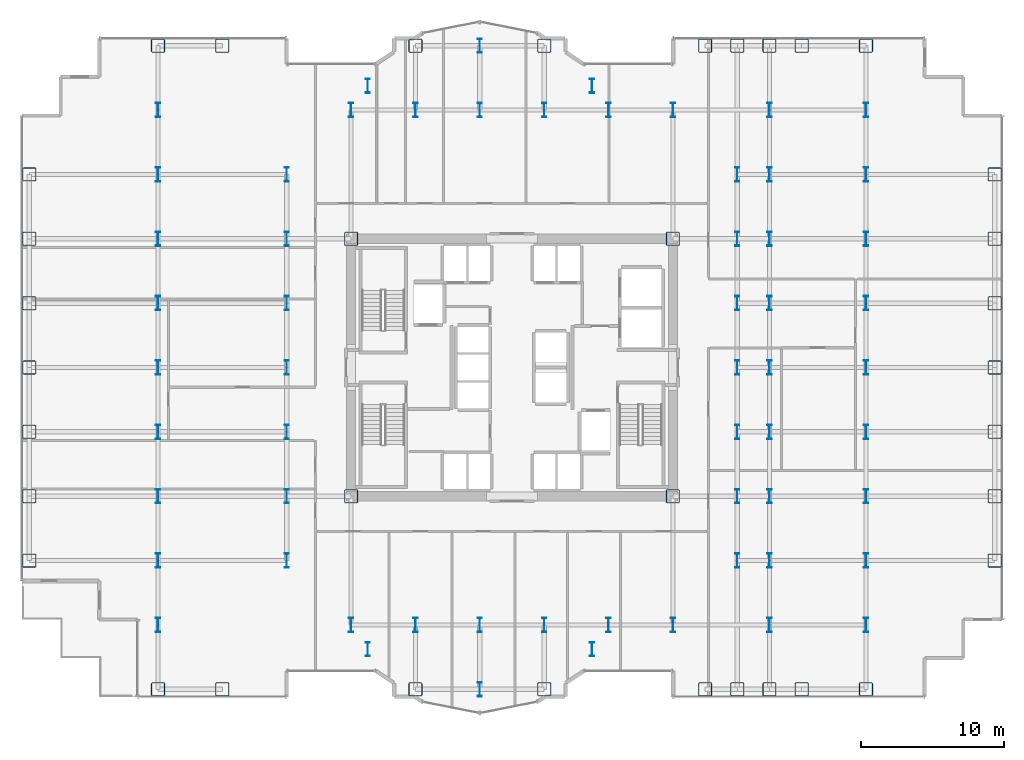
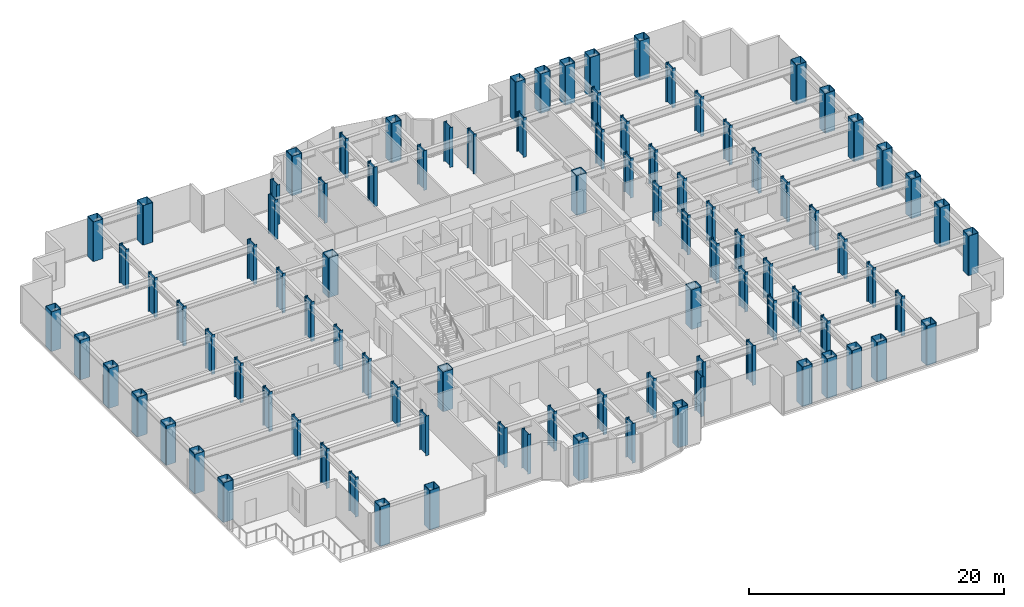
# One storey, part 1 of 27: 95 columns.
"""IFC4 building model written with IfcOpenShell, lengths in metres."""

from ifc_helpers import new_model, si_unit, direction, frame, origin, origin_2d, place, context, subcontext, project, spatial, hollow_rectangle, i_section, extrude, source, transform, mapped, material, material_profile, profile_set, type_object, element, save


model = new_model("IFC4")

# Units and contexts
model_context = context("Model", 3, precision=1e-05, world=origin(), true_north=direction((0.0, 1.0)))
body_context = subcontext(model_context, "Body", "Model", "MODEL_VIEW")
ifc_project = project(units=[si_unit("LENGTHUNIT", "METRE"), si_unit("AREAUNIT", "SQUARE_METRE"), si_unit("VOLUMEUNIT", "CUBIC_METRE"), si_unit("PLANEANGLEUNIT", "RADIAN"), si_unit("MASSUNIT", "GRAM", prefix="KILO")], contexts=[model_context])

# Site, building, storey
site_placement = place(None, origin())
site = spatial("IfcSite", under=ifc_project, at=site_placement, CompositionType="ELEMENT")
building_placement = place(site_placement, origin())
building = spatial("IfcBuilding", under=site, at=building_placement, Name="Nefas-Gora Pilgrimage Tower", CompositionType="ELEMENT")
storey_placement = place(building_placement, frame((0.0, 0.0, 48.199951171875)))
storey = spatial("IfcBuildingStorey", under=building, at=storey_placement, Name="L10", CompositionType="ELEMENT", Elevation=48.199951171875)

# Columns
ifc_material = material(Name="Steel S460", Category="steel")
ifc_material_profile_1 = material_profile(ifc_material, hollow_rectangle(XDim=0.949951171875, YDim=0.949951171875, WallThickness=0.044921875, InnerFilletRadius=0.044921875, OuterFilletRadius=0.090087890625, at=origin_2d()), Name="BOX 950x950x45")
ifc_profile_set_1 = profile_set([ifc_material_profile_1], Name="Steel S460")
column_type_1 = type_object("IfcColumnType", Name="COL-TUBE-950", PredefinedType="COLUMN", material=ifc_profile_set_1)
shared_shape_1 = source(origin(), body_context, "Body", "SweptSolid", [
    extrude(hollow_rectangle(XDim=0.949951171875, YDim=0.949951171875, WallThickness=0.044921875, InnerFilletRadius=0.044921875, OuterFilletRadius=0.090087890625, at=origin_2d()), origin(), (0.0, 0.0, 1.0), 3.800048828125),
])
for number, where, z_axis, x_axis, name in (
    (1, (-33.75, -13.5, 0.0), (0.0, 0.0, 1.0), (1.0, 0.0, 0.0), "L10 Tower Column C-Z1.1"),
    (2, (-33.75, -9.0, 0.0), (0.0, 0.0, 1.0), (1.0, 0.0, 0.0), "L10 Tower Column C-Z1.2"),
    (3, (-33.75, -4.5, 0.0), (0.0, 0.0, 1.0), (1.0, 0.0, 0.0), "L10 Tower Column C-Z1.3"),
    (4, (-33.75, 0.0, 0.0), (0.0, 0.0, 1.0), (1.0, 0.0, 0.0), "L10 Tower Column C-Z1.4"),
    (5, (-33.75, 4.5, 0.0), (0.0, 0.0, 1.0), (1.0, 0.0, 0.0), "L10 Tower Column C-Z1.5"),
    (6, (-33.75, 9.0, 0.0), (0.0, 0.0, 1.0), (1.0, 0.0, 0.0), "L10 Tower Column C-Z1.6"),
    (7, (-33.75, 13.5, 0.0), (0.0, 0.0, 1.0), (1.0, 0.0, 0.0), "L10 Tower Column C-Z1.7"),
    (8, (-24.75, -22.5, 0.0), (0.0, 0.0, 1.0), (1.0, 0.0, 0.0), "L10 Tower Column C-Z1.8"),
    (9, (-24.75, 22.5, 0.0), (0.0, 0.0, 1.0), (1.0, 0.0, 0.0), "L10 Tower Column C-Z1.18"),
    (10, (-20.25, -22.5, 0.0), (0.0, 0.0, 1.0), (1.0, 0.0, 0.0), "L10 Tower Column C-Z1.19"),
    (11, (-20.25, 22.5, 0.0), (0.0, 0.0, 1.0), (1.0, 0.0, 0.0), "L10 Tower Column C-Z1.20"),
    (12, (-6.75, -22.5, 0.0), (0.0, 0.0, 1.0), (1.0, 0.0, 0.0), "L10 Tower Column C-Z1.34"),
    (13, (-6.75, 22.5, 0.0), (0.0, 0.0, 1.0), (1.0, 0.0, 0.0), "L10 Tower Column C-Z1.37"),
    (14, (2.25, -22.5, 0.0), (0.0, 0.0, 1.0), (1.0, 0.0, 0.0), "L10 Tower Column C-Z1.42"),
    (15, (2.25, 22.5, 0.0), (0.0, 0.0, 1.0), (1.0, 0.0, 0.0), "L10 Tower Column C-Z1.45"),
    (16, (13.5, -22.5, 0.0), (0.0, 0.0, 1.0), (1.0, 0.0, 0.0), "L10 Tower Column C-Z1.54"),
    (17, (13.5, 22.5, 0.0), (0.0, 0.0, 1.0), (1.0, 0.0, 0.0), "L10 Tower Column C-Z1.55"),
    (18, (15.75, -22.5, 0.0), (0.0, 0.0, 1.0), (1.0, 0.0, 0.0), "L10 Tower Column C-Z1.56"),
    (19, (15.75, 22.5, 0.0), (0.0, 0.0, 1.0), (1.0, 0.0, 0.0), "L10 Tower Column C-Z1.64"),
    (20, (18.0, -22.5, 0.0), (0.0, 0.0, 1.0), (1.0, 0.0, 0.0), "L10 Tower Column C-Z1.65"),
    (21, (18.0, 22.5, 0.0), (0.0, 0.0, 1.0), (1.0, 0.0, 0.0), "L10 Tower Column C-Z1.75"),
    (22, (20.25, -22.5, 0.0), (0.0, 0.0, 1.0), (1.0, 0.0, 0.0), "L10 Tower Column C-Z1.76"),
    (23, (20.25, 22.5, 0.0), (0.0, 0.0, 1.0), (1.0, 0.0, 0.0), "L10 Tower Column C-Z1.77"),
    (24, (24.75, -22.5, 0.0), (0.0, 0.0, 1.0), (1.0, 0.0, 0.0), "L10 Tower Column C-Z1.78"),
    (25, (24.75, 22.5, 0.0), (0.0, 0.0, 1.0), (1.0, 0.0, 0.0), "L10 Tower Column C-Z1.88"),
    (26, (33.75, -13.5, 0.0), (0.0, 0.0, 1.0), (1.0, 0.0, 0.0), "L10 Tower Column C-Z1.89"),
    (27, (33.75, -9.0, 0.0), (0.0, 0.0, 1.0), (1.0, 0.0, 0.0), "L10 Tower Column C-Z1.90"),
    (28, (33.75, -4.5, 0.0), (0.0, 0.0, 1.0), (1.0, 0.0, 0.0), "L10 Tower Column C-Z1.91"),
    (29, (33.75, 0.0, 0.0), (0.0, 0.0, 1.0), (1.0, 0.0, 0.0), "L10 Tower Column C-Z1.92"),
    (30, (33.75, 4.5, 0.0), (0.0, 0.0, 1.0), (1.0, 0.0, 0.0), "L10 Tower Column C-Z1.93"),
    (31, (33.75, 9.0, 0.0), (0.0, 0.0, 1.0), (1.0, 0.0, 0.0), "L10 Tower Column C-Z1.94"),
    (32, (33.75, 13.5, 0.0), (0.0, 0.0, 1.0), (1.0, 0.0, 0.0), "L10 Tower Column C-Z1.95"),
):
    element("IfcColumn", number, at=place(storey_placement, frame(where, z_axis=z_axis, x_axis=x_axis)), inside=storey, type_object=column_type_1, Name=name, PredefinedType="COLUMN", context=body_context, shape_type="MappedRepresentation", body=[
        mapped(shared_shape_1, transform((0.0, 0.0, 0.0), x_axis=(1.0, 0.0, 0.0), y_axis=(0.0, 1.0, 0.0), z_axis=(0.0, 0.0, 1.0), scale=1.0)),
    ])
ifc_material_profile_2 = material_profile(ifc_material, i_section(OverallWidth=0.302001953125, OverallDepth=1.008056640625, WebThickness=0.02099609375, FlangeThickness=0.0400390625, FilletRadius=0.030029296875, at=origin_2d()), Name="HEM 1000")
ifc_profile_set_2 = profile_set([ifc_material_profile_2], Name="Steel S460")
column_type_2 = type_object("IfcColumnType", Name="COL-WEB-HEM1000", PredefinedType="COLUMN", material=ifc_profile_set_2)
shared_shape_2 = source(origin(), body_context, "Body", "SweptSolid", [
    extrude(i_section(OverallWidth=0.302001953125, OverallDepth=1.008056640625, WebThickness=0.02099609375, FlangeThickness=0.0400390625, FilletRadius=0.030029296875, at=origin_2d()), origin(), (0.0, 0.0, 1.0), 3.800048828125),
])
for number, where, z_axis, x_axis, name in (
    (33, (-24.75, -18.0, 0.0), (0.0, 0.0, 1.0), (1.0, 0.0, 0.0), "L10 Tower Column CW-01.9"),
    (34, (-24.75, -13.5, 0.0), (0.0, 0.0, 1.0), (1.0, 0.0, 0.0), "L10 Tower Column CW-01.10"),
    (35, (-24.75, -9.0, 0.0), (0.0, 0.0, 1.0), (1.0, 0.0, 0.0), "L10 Tower Column CW-01.11"),
    (36, (-24.75, -4.5, 0.0), (0.0, 0.0, 1.0), (1.0, 0.0, 0.0), "L10 Tower Column CW-01.12"),
    (37, (-24.75, 0.0, 0.0), (0.0, 0.0, 1.0), (1.0, 0.0, 0.0), "L10 Tower Column CW-01.13"),
    (38, (-24.75, 4.5, 0.0), (0.0, 0.0, 1.0), (1.0, 0.0, 0.0), "L10 Tower Column CW-01.14"),
    (39, (-24.75, 9.0, 0.0), (0.0, 0.0, 1.0), (1.0, 0.0, 0.0), "L10 Tower Column CW-01.15"),
    (40, (-24.75, 13.5, 0.0), (0.0, 0.0, 1.0), (1.0, 0.0, 0.0), "L10 Tower Column CW-01.16"),
    (41, (-24.75, 18.0, 0.0), (0.0, 0.0, 1.0), (1.0, 0.0, 0.0), "L10 Tower Column CW-01.17"),
    (42, (-15.75, -13.5, 0.0), (0.0, 0.0, 1.0), (1.0, 0.0, 0.0), "L10 Tower Column CW-01.21"),
    (43, (-15.75, -9.0, 0.0), (0.0, 0.0, 1.0), (1.0, 0.0, 0.0), "L10 Tower Column CW-01.22"),
    (44, (-15.75, -4.5, 0.0), (0.0, 0.0, 1.0), (1.0, 0.0, 0.0), "L10 Tower Column CW-01.23"),
    (45, (-15.75, 0.0, 0.0), (0.0, 0.0, 1.0), (1.0, 0.0, 0.0), "L10 Tower Column CW-01.24"),
    (46, (-15.75, 4.5, 0.0), (0.0, 0.0, 1.0), (1.0, 0.0, 0.0), "L10 Tower Column CW-01.25"),
    (47, (-15.75, 9.0, 0.0), (0.0, 0.0, 1.0), (1.0, 0.0, 0.0), "L10 Tower Column CW-01.26"),
    (48, (-15.75, 13.5, 0.0), (0.0, 0.0, 1.0), (1.0, 0.0, 0.0), "L10 Tower Column CW-01.27"),
    (49, (-11.25, -18.0, 0.0), (0.0, 0.0, 1.0), (1.0, 0.0, 0.0), "L10 Tower Column CW-01.28"),
    (50, (-11.25, 18.0, 0.0), (0.0, 0.0, 1.0), (1.0, 0.0, 0.0), "L10 Tower Column CW-01.31"),
    (51, (-10.091064453125, -19.696044921875, 0.0), (0.0, 0.0, 1.0), (1.0, 0.0, 0.0), "L10 Tower Column CW-01.32"),
    (52, (-10.091064453125, 19.696044921875, 0.0), (0.0, 0.0, 1.0), (1.0, 0.0, 0.0), "L10 Tower Column CW-01.33"),
    (53, (-6.75, -18.0, 0.0), (0.0, 0.0, 1.0), (1.0, 0.0, 0.0), "L10 Tower Column CW-01.35"),
    (54, (-6.75, 18.0, 0.0), (0.0, 0.0, 1.0), (1.0, 0.0, 0.0), "L10 Tower Column CW-01.36"),
    (55, (-2.25, -22.5, 0.0), (0.0, 0.0, 1.0), (1.0, 0.0, 0.0), "L10 Tower Column CW-01.38"),
    (56, (-2.25, -18.0, 0.0), (0.0, 0.0, 1.0), (1.0, 0.0, 0.0), "L10 Tower Column CW-01.39"),
    (57, (-2.25, 18.0, 0.0), (0.0, 0.0, 1.0), (1.0, 0.0, 0.0), "L10 Tower Column CW-01.40"),
    (58, (-2.25, 22.5, 0.0), (0.0, 0.0, 1.0), (1.0, 0.0, 0.0), "L10 Tower Column CW-01.41"),
    (59, (2.25, -18.0, 0.0), (0.0, 0.0, 1.0), (1.0, 0.0, 0.0), "L10 Tower Column CW-01.43"),
    (60, (2.25, 18.0, 0.0), (0.0, 0.0, 1.0), (1.0, 0.0, 0.0), "L10 Tower Column CW-01.44"),
    (61, (5.591064453125, -19.696044921875, 0.0), (0.0, 0.0, 1.0), (1.0, 0.0, 0.0), "L10 Tower Column CW-01.46"),
    (62, (5.591064453125, 19.696044921875, 0.0), (0.0, 0.0, 1.0), (1.0, 0.0, 0.0), "L10 Tower Column CW-01.47"),
    (63, (6.75, -18.0, 0.0), (0.0, 0.0, 1.0), (1.0, 0.0, 0.0), "L10 Tower Column CW-01.48"),
    (64, (6.75, 18.0, 0.0), (0.0, 0.0, 1.0), (1.0, 0.0, 0.0), "L10 Tower Column CW-01.49"),
    (65, (11.25, -18.0, 0.0), (0.0, 0.0, 1.0), (1.0, 0.0, 0.0), "L10 Tower Column CW-01.50"),
    (66, (11.25, 18.0, 0.0), (0.0, 0.0, 1.0), (1.0, 0.0, 0.0), "L10 Tower Column CW-01.53"),
    (67, (15.75, -13.5, 0.0), (0.0, 0.0, 1.0), (1.0, 0.0, 0.0), "L10 Tower Column CW-01.57"),
    (68, (15.75, -9.0, 0.0), (0.0, 0.0, 1.0), (1.0, 0.0, 0.0), "L10 Tower Column CW-01.58"),
    (69, (15.75, -4.5, 0.0), (0.0, 0.0, 1.0), (1.0, 0.0, 0.0), "L10 Tower Column CW-01.59"),
    (70, (15.75, 0.0, 0.0), (0.0, 0.0, 1.0), (1.0, 0.0, 0.0), "L10 Tower Column CW-01.60"),
    (71, (15.75, 4.5, 0.0), (0.0, 0.0, 1.0), (1.0, 0.0, 0.0), "L10 Tower Column CW-01.61"),
    (72, (15.75, 9.0, 0.0), (0.0, 0.0, 1.0), (1.0, 0.0, 0.0), "L10 Tower Column CW-01.62"),
    (73, (15.75, 13.5, 0.0), (0.0, 0.0, 1.0), (1.0, 0.0, 0.0), "L10 Tower Column CW-01.63"),
    (74, (18.0, -18.0, 0.0), (0.0, 0.0, 1.0), (1.0, 0.0, 0.0), "L10 Tower Column CW-01.66"),
    (75, (18.0, -13.5, 0.0), (0.0, 0.0, 1.0), (1.0, 0.0, 0.0), "L10 Tower Column CW-01.67"),
    (76, (18.0, -9.0, 0.0), (0.0, 0.0, 1.0), (1.0, 0.0, 0.0), "L10 Tower Column CW-01.68"),
    (77, (18.0, -4.5, 0.0), (0.0, 0.0, 1.0), (1.0, 0.0, 0.0), "L10 Tower Column CW-01.69"),
    (78, (18.0, 0.0, 0.0), (0.0, 0.0, 1.0), (1.0, 0.0, 0.0), "L10 Tower Column CW-01.70"),
    (79, (18.0, 4.5, 0.0), (0.0, 0.0, 1.0), (1.0, 0.0, 0.0), "L10 Tower Column CW-01.71"),
    (80, (18.0, 9.0, 0.0), (0.0, 0.0, 1.0), (1.0, 0.0, 0.0), "L10 Tower Column CW-01.72"),
    (81, (18.0, 13.5, 0.0), (0.0, 0.0, 1.0), (1.0, 0.0, 0.0), "L10 Tower Column CW-01.73"),
    (82, (18.0, 18.0, 0.0), (0.0, 0.0, 1.0), (1.0, 0.0, 0.0), "L10 Tower Column CW-01.74"),
    (83, (24.75, -18.0, 0.0), (0.0, 0.0, 1.0), (1.0, 0.0, 0.0), "L10 Tower Column CW-01.79"),
    (84, (24.75, -13.5, 0.0), (0.0, 0.0, 1.0), (1.0, 0.0, 0.0), "L10 Tower Column CW-01.80"),
    (85, (24.75, -9.0, 0.0), (0.0, 0.0, 1.0), (1.0, 0.0, 0.0), "L10 Tower Column CW-01.81"),
    (86, (24.75, -4.5, 0.0), (0.0, 0.0, 1.0), (1.0, 0.0, 0.0), "L10 Tower Column CW-01.82"),
    (87, (24.75, 0.0, 0.0), (0.0, 0.0, 1.0), (1.0, 0.0, 0.0), "L10 Tower Column CW-01.83"),
    (88, (24.75, 4.5, 0.0), (0.0, 0.0, 1.0), (1.0, 0.0, 0.0), "L10 Tower Column CW-01.84"),
    (89, (24.75, 9.0, 0.0), (0.0, 0.0, 1.0), (1.0, 0.0, 0.0), "L10 Tower Column CW-01.85"),
    (90, (24.75, 13.5, 0.0), (0.0, 0.0, 1.0), (1.0, 0.0, 0.0), "L10 Tower Column CW-01.86"),
    (91, (24.75, 18.0, 0.0), (0.0, 0.0, 1.0), (1.0, 0.0, 0.0), "L10 Tower Column CW-01.87"),
):
    element("IfcColumn", number, at=place(storey_placement, frame(where, z_axis=z_axis, x_axis=x_axis)), inside=storey, type_object=column_type_2, Name=name, PredefinedType="COLUMN", context=body_context, shape_type="MappedRepresentation", body=[
        mapped(shared_shape_2, transform((0.0, 0.0, 0.0), x_axis=(1.0, 0.0, 0.0), y_axis=(0.0, 1.0, 0.0), z_axis=(0.0, 0.0, 1.0), scale=1.0)),
    ])
ifc_material_profile_3 = material_profile(ifc_material, hollow_rectangle(XDim=0.949951171875, YDim=0.949951171875, WallThickness=0.044921875, InnerFilletRadius=0.044921875, OuterFilletRadius=0.090087890625, at=origin_2d()), Name="BOX 950x950x45")
ifc_profile_set_3 = profile_set([ifc_material_profile_3], Name="Steel S460")
column_type_3 = type_object("IfcColumnType", Name="COL-CORE-950", PredefinedType="COLUMN", material=ifc_profile_set_3)
shared_shape_3 = source(origin(), body_context, "Body", "SweptSolid", [
    extrude(hollow_rectangle(XDim=0.949951171875, YDim=0.949951171875, WallThickness=0.044921875, InnerFilletRadius=0.044921875, OuterFilletRadius=0.090087890625, at=origin_2d()), origin(), (0.0, 0.0, 1.0), 3.800048828125),
])
for number, where, z_axis, x_axis, name in (
    (92, (-11.25, -9.0, 0.0), (0.0, 0.0, 1.0), (1.0, 0.0, 0.0), "L10 Tower Column CC-Z1.29"),
    (93, (-11.25, 9.0, 0.0), (0.0, 0.0, 1.0), (1.0, 0.0, 0.0), "L10 Tower Column CC-Z1.30"),
    (94, (11.25, -9.0, 0.0), (0.0, 0.0, 1.0), (1.0, 0.0, 0.0), "L10 Tower Column CC-Z1.51"),
    (95, (11.25, 9.0, 0.0), (0.0, 0.0, 1.0), (1.0, 0.0, 0.0), "L10 Tower Column CC-Z1.52"),
):
    element("IfcColumn", number, at=place(storey_placement, frame(where, z_axis=z_axis, x_axis=x_axis)), inside=storey, type_object=column_type_3, Name=name, PredefinedType="COLUMN", context=body_context, shape_type="MappedRepresentation", body=[
        mapped(shared_shape_3, transform((0.0, 0.0, 0.0), x_axis=(1.0, 0.0, 0.0), y_axis=(0.0, 1.0, 0.0), z_axis=(0.0, 0.0, 1.0), scale=1.0)),
    ])

save(model, "model.ifc")
